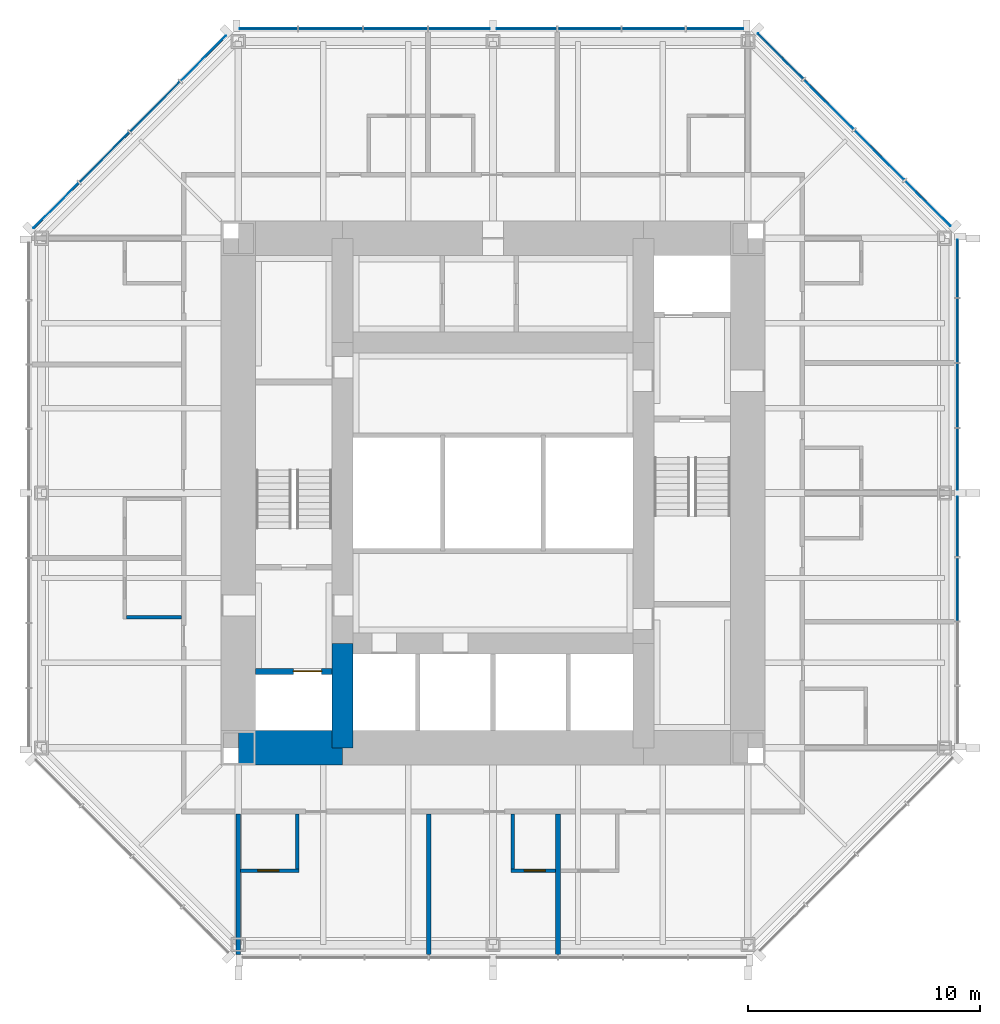
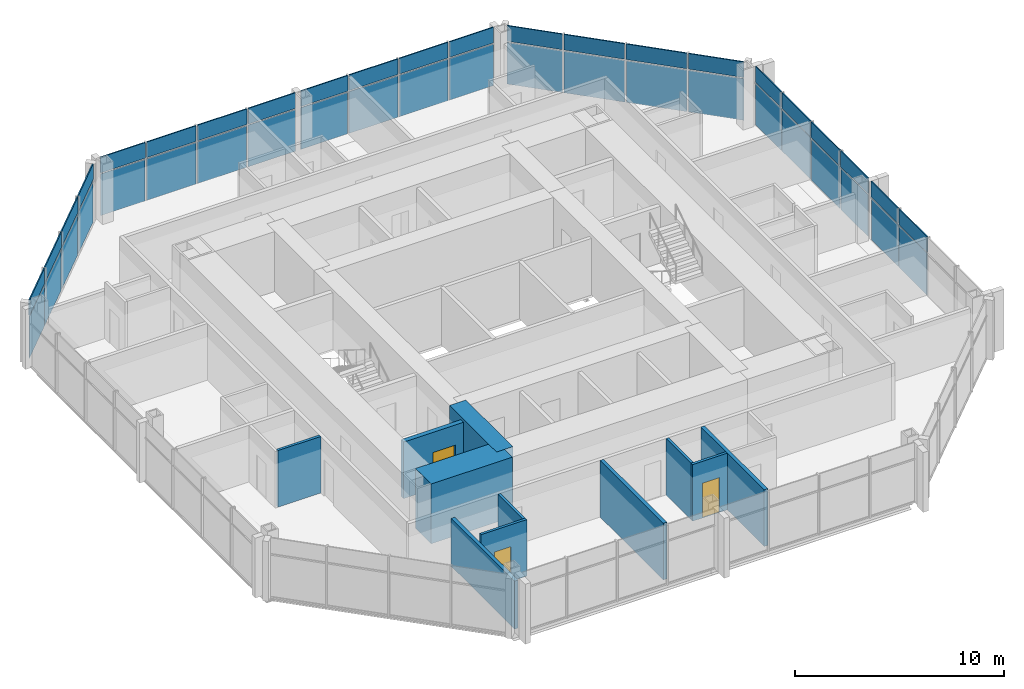
# One storey, part 7 of 11: 44 plates, 11 walls, 3 doors, 3 openings, 4 elements without a shape of their own.
"""IFC4 building model written with IfcOpenShell, lengths in metres."""

import ifcopenshell
import ifcopenshell.guid

model = None  # the IFC model being written
_history = None  # IfcOwnerHistory: only IFC2X3 demands one
_inside = {}  # id of a spatial element -> (the spatial element, [elements in it])
_under = {}  # id of a project, library or spatial element -> (it, [spatial elements below it])
_declared = {}  # id of a project -> (the project, [libraries it declares])
_typed = {}  # id of a type object -> (the type object, [elements of that type])
_made_of = {}  # id of a material, layer set ... -> (it, [elements and type objects made of it])


def new_model(schema):
    """Start an empty IFC model of exactly this schema.

    Asked for "IFC4X3", IfcOpenShell would pick the latest addendum, in which some entities
    have other attributes; the version numbers below select the first issue.
    IFC2X3 requires an IfcOwnerHistory on every rooted entity: one is made here for all.
    """
    global model, _history
    if schema == "IFC4X3":
        model = ifcopenshell.file(schema_version=(4, 3, 0, 0))
    else:
        model = ifcopenshell.file(schema=schema)
    _inside.clear()
    _under.clear()
    _declared.clear()
    _typed.clear()
    _made_of.clear()
    _history = None
    if model.schema == "IFC2X3":
        org = make("IfcOrganization", Name="unknown")
        user = make(
            "IfcPersonAndOrganization",
            ThePerson=make("IfcPerson", FamilyName="unknown"),
            TheOrganization=org,
        )
        app = make(
            "IfcApplication",
            ApplicationDeveloper=org,
            Version="unknown",
            ApplicationFullName="unknown",
            ApplicationIdentifier="unknown",
        )
        _history = make(
            "IfcOwnerHistory",
            OwningUser=user,
            OwningApplication=app,
            ChangeAction="ADDED",
            CreationDate=0,
        )
    return model


def make(cls, **values):
    """One entity of the class cls with the attributes given. An attribute that is None is left unset."""
    return model.create_entity(
        cls, **{name: value for name, value in values.items() if value is not None}
    )


def rooted(cls, **values):
    """An entity with a GlobalId (a new one), such as an element, a storey or a relation."""
    return make(cls, GlobalId=ifcopenshell.guid.new(), OwnerHistory=_history, **values)


def si_unit(unit_type, name, prefix=None):
    """IfcSIUnit, for example si_unit("LENGTHUNIT", "METRE", prefix="MILLI")."""
    return make("IfcSIUnit", UnitType=unit_type, Prefix=prefix, Name=name)


def assignment(units):
    """IfcUnitAssignment: the units of a project."""
    return None if units is None else make("IfcUnitAssignment", Units=units)


def point(xyz):
    """IfcCartesianPoint."""
    return None if xyz is None else make("IfcCartesianPoint", Coordinates=xyz)


def direction(xyz):
    """IfcDirection."""
    return None if xyz is None else make("IfcDirection", DirectionRatios=xyz)


def frame(location, z_axis=None, x_axis=None):
    """IfcAxis2Placement3D, a coordinate frame: its origin and axes. An axis left out is left unset."""
    return make(
        "IfcAxis2Placement3D",
        Location=point(location),
        Axis=direction(z_axis),
        RefDirection=direction(x_axis),
    )


def frame_2d(location, x_axis=None):
    """IfcAxis2Placement2D, a coordinate frame in the plane: its origin and x axis."""
    return make(
        "IfcAxis2Placement2D", Location=point(location), RefDirection=direction(x_axis)
    )


def origin():
    """The frame at (0, 0, 0) with its axes left unset."""
    return frame((0.0, 0.0, 0.0))


def origin_2d():
    """The frame at (0, 0) in the plane with its x axis left unset."""
    return frame_2d((0.0, 0.0))


def place(relative_to, where):
    """IfcLocalPlacement: puts the frame where relative to a parent placement (None: the world)."""
    return make(
        "IfcLocalPlacement", PlacementRelTo=relative_to, RelativePlacement=where
    )


def context(
    kind, dimensions, precision=None, world=None, true_north=None, identifier=None
):
    """IfcGeometricRepresentationContext, for example the 3D "Model" context."""
    return make(
        "IfcGeometricRepresentationContext",
        ContextIdentifier=identifier,
        ContextType=kind,
        CoordinateSpaceDimension=dimensions,
        Precision=precision,
        WorldCoordinateSystem=world,
        TrueNorth=true_north,
    )


def subcontext(parent, identifier, kind, view, scale=None):
    """IfcGeometricRepresentationSubContext, for example "Body" below "Model"."""
    return make(
        "IfcGeometricRepresentationSubContext",
        ContextIdentifier=identifier,
        ContextType=kind,
        ParentContext=parent,
        TargetScale=scale,
        TargetView=view,
    )


def project(units=None, contexts=None):
    """IfcProject with its units and contexts."""
    return rooted(
        "IfcProject",
        Name="project",
        RepresentationContexts=contexts,
        UnitsInContext=assignment(units),
    )


def spatial(cls, under=None, at=None, **own):
    """A site, building, storey or space (cls), placed at a placement, below another one or the project."""
    s = rooted(cls, ObjectPlacement=at, **own)
    if under is not None:
        _under.setdefault(under.id(), (under, []))[1].append(s)
    return s


def profile(cls, at=None, kind="AREA", **sizes):
    """A parametric profile (cls). Its sizes go by their IFC names, for example OverallWidth=200.0."""
    return make(cls, ProfileType=kind, Position=at, **sizes)


def rectangle(**sizes):
    """IfcRectangleProfileDef."""
    return profile("IfcRectangleProfileDef", **sizes)


def extrude(swept, where, along, depth):
    """IfcExtrudedAreaSolid: the profile swept, set in the frame where, extruded along a direction by depth."""
    return make(
        "IfcExtrudedAreaSolid",
        SweptArea=swept,
        Position=where,
        ExtrudedDirection=direction(along),
        Depth=depth,
    )


def shape(context_of_items, identifier, shape_type, items):
    """IfcShapeRepresentation: the items that make up one representation, for example the "Body"."""
    return make(
        "IfcShapeRepresentation",
        ContextOfItems=context_of_items,
        RepresentationIdentifier=identifier,
        RepresentationType=shape_type,
        Items=items,
    )


def material(Name=None, Category=None):
    """IfcMaterial."""
    return make("IfcMaterial", Name=Name, Category=Category)


def layer(
    of_material, thickness, ventilated=None, Name=None, Category=None, Priority=None
):
    """IfcMaterialLayer: one layer of a wall or slab, of a material (None: an air gap)."""
    return make(
        "IfcMaterialLayer",
        Material=of_material,
        LayerThickness=thickness,
        IsVentilated=ventilated,
        Name=Name,
        Category=Category,
        Priority=Priority,
    )


def layer_set(layers, Name=None):
    """IfcMaterialLayerSet."""
    return make("IfcMaterialLayerSet", MaterialLayers=layers, LayerSetName=Name)


def made_of(thing, what):
    """Note that an element or type object is made of a material, layer set ...; save() writes the relation."""
    if what is not None:
        _made_of.setdefault(what.id(), (what, []))[1].append(thing)
    return thing


def type_object(cls, material=None, **own):
    """A type object (cls), such as IfcWallType, which elements share."""
    return made_of(rooted(cls, **own), material)


def element(
    cls,
    number,
    at=None,
    inside=None,
    cuts=None,
    type_object=None,
    material=None,
    context=None,
    identifier="Body",
    shape_type=None,
    held_by="IfcProductDefinitionShape",
    body=None,
    shapes=None,
    **own,
):
    """One element of the class cls, such as IfcWall. Its Tag is "e" and its number.

    at: its placement. inside: the storey or other place that contains it. cuts: it is an
    opening in that element (IfcRelVoidsElement). A single representation is given by context,
    identifier, shape_type and body (its items); several are given by shapes. held_by: the class
    of the entity that holds the representations. save() writes the other relations.
    """
    e = rooted(cls, Tag="e%d" % number, ObjectPlacement=at, **own)
    if body is not None:
        shapes = [shape(context, identifier, shape_type, body)]
    if shapes is not None:
        e.Representation = make(held_by, Representations=shapes)
    if inside is not None:
        _inside.setdefault(inside.id(), (inside, []))[1].append(e)
    if cuts is not None:
        rooted(
            "IfcRelVoidsElement", RelatingBuildingElement=cuts, RelatedOpeningElement=e
        )
    if type_object is not None:
        _typed.setdefault(type_object.id(), (type_object, []))[1].append(e)
    return made_of(e, material)


def fill(opening, filler):
    """IfcRelFillsElement: the door or window that sits in an opening."""
    return rooted(
        "IfcRelFillsElement",
        RelatingOpeningElement=opening,
        RelatedBuildingElement=filler,
    )


def aggregate(whole, parts):
    """IfcRelAggregates: a whole, such as a stair, and the parts it consists of."""
    return rooted("IfcRelAggregates", RelatingObject=whole, RelatedObjects=parts)


def save(model, path):
    """Write the relations noted so far, then the file.

    IfcRelAggregates (storeys below a building ...), IfcRelContainedInSpatialStructure (elements
    in a storey), IfcRelDefinesByType, IfcRelAssociatesMaterial and IfcRelDeclares: one each for
    every whole, place, type object, material and project.
    """
    for whole, parts in _under.values():
        aggregate(whole, parts)
    for where, things in _inside.values():
        rooted(
            "IfcRelContainedInSpatialStructure",
            RelatedElements=things,
            RelatingStructure=where,
        )
    for kind, things in _typed.values():
        rooted("IfcRelDefinesByType", RelatedObjects=things, RelatingType=kind)
    for what, things in _made_of.values():
        rooted("IfcRelAssociatesMaterial", RelatedObjects=things, RelatingMaterial=what)
    for by, libraries in _declared.values():
        rooted("IfcRelDeclares", RelatingContext=by, RelatedDefinitions=libraries)
    model.write(path)


model = new_model("IFC4")

# Units and contexts
model_context = context("Model", 3, precision=1e-05, world=origin(), true_north=direction((0.0, 1.0)))
body_context = subcontext(model_context, "Body", "Model", "MODEL_VIEW")
ifc_project = project(units=[si_unit("LENGTHUNIT", "METRE"), si_unit("AREAUNIT", "SQUARE_METRE"), si_unit("VOLUMEUNIT", "CUBIC_METRE"), si_unit("PLANEANGLEUNIT", "RADIAN"), si_unit("MASSUNIT", "GRAM", prefix="KILO")], contexts=[model_context])

# Site, building, storey
site_placement = place(None, origin())
site = spatial("IfcSite", under=ifc_project, at=site_placement, CompositionType="ELEMENT")
building_placement = place(site_placement, origin())
building = spatial("IfcBuilding", under=site, at=building_placement, Name="Trevanion Tower", CompositionType="ELEMENT")
storey_placement = place(building_placement, frame((0.0, 0.0, 215.199951171875)))
storey = spatial("IfcBuildingStorey", under=building, at=storey_placement, Name="L51", CompositionType="ELEMENT", Elevation=215.199951171875)

# Curtain wall, plates
ifc_material_1 = material(Name="Aluminium and glass", Category="aluminium")
curtain_wall_type = type_object("IfcCurtainWallType", Name="CW3 curtain wall", PredefinedType="USERDEFINED", material=ifc_material_1)
curtain_wall_1_placement = place(storey_placement, origin())
curtain_wall_1 = element("IfcCurtainWall", 1, at=curtain_wall_1_placement, inside=storey, type_object=curtain_wall_type, Name="CW3 L51 0", ObjectType="UNITISED CURTAIN WALL", PredefinedType="USERDEFINED")
ifc_material_2 = material(Name="Aluminium spandrel panel", Category="aluminium")
ifc_layer_1 = layer(ifc_material_2, 0.06005859375)
ifc_layer_set_1 = layer_set([ifc_layer_1], Name="CW3 spandrel panel")
plate_type_1 = type_object("IfcPlateType", Name="CW3 spandrel panel", PredefinedType="CURTAIN_PANEL", material=ifc_layer_set_1)
plate_1_placement = place(storey_placement, frame((20.050048828125, -4.16162109375, 2.3974609375), z_axis=(0.0, 0.0, 1.0), x_axis=(0.0, 1.0, 0.0)))
plate_1 = element("IfcPlate", 2, at=plate_1_placement, type_object=plate_type_1, Name="CW3 panel 3.2", PredefinedType="CURTAIN_PANEL", context=body_context, shape_type="SweptSolid", body=[
    extrude(rectangle(XDim=2.699462890625, YDim=0.06005859375, at=origin_2d()), origin(), (0.0, 0.0, 1.0), 0.91259765625),
])
plate_2_placement = place(storey_placement, frame((20.050048828125, -1.443603515625, 2.3974609375), z_axis=(0.0, 0.0, 1.0), x_axis=(0.0, 1.0, 0.0)))
plate_2 = element("IfcPlate", 3, at=plate_2_placement, type_object=plate_type_1, Name="CW3 panel 4.2", PredefinedType="CURTAIN_PANEL", context=body_context, shape_type="SweptSolid", body=[
    extrude(rectangle(XDim=2.5869140625, YDim=0.06005859375, at=origin_2d()), origin(), (0.0, 0.0, 1.0), 0.91259765625),
])
plate_3_placement = place(storey_placement, frame((20.050048828125, 1.459716796875, 2.3974609375), z_axis=(0.0, 0.0, 1.0), x_axis=(0.0, 1.0, 0.0)))
plate_3 = element("IfcPlate", 4, at=plate_3_placement, type_object=plate_type_1, Name="CW3 panel 5.2", PredefinedType="CURTAIN_PANEL", context=body_context, shape_type="SweptSolid", body=[
    extrude(rectangle(XDim=2.619384765625, YDim=0.06005859375, at=origin_2d()), origin(), (0.0, 0.0, 1.0), 0.91259765625),
])
plate_4_placement = place(storey_placement, frame((20.050048828125, 4.21044921875, 2.3974609375), z_axis=(0.0, 0.0, 1.0), x_axis=(0.0, 1.0, 0.0)))
plate_4 = element("IfcPlate", 5, at=plate_4_placement, type_object=plate_type_1, Name="CW3 panel 6.2", PredefinedType="CURTAIN_PANEL", context=body_context, shape_type="SweptSolid", body=[
    extrude(rectangle(XDim=2.73193359375, YDim=0.06005859375, at=origin_2d()), origin(), (0.0, 0.0, 1.0), 0.91259765625),
])
plate_5_placement = place(storey_placement, frame((20.050048828125, 7.017333984375, 2.3974609375), z_axis=(0.0, 0.0, 1.0), x_axis=(0.0, 1.0, 0.0)))
plate_5 = element("IfcPlate", 6, at=plate_5_placement, type_object=plate_type_1, Name="CW3 panel 7.2", PredefinedType="CURTAIN_PANEL", context=body_context, shape_type="SweptSolid", body=[
    extrude(rectangle(XDim=2.73193359375, YDim=0.06005859375, at=origin_2d()), origin(), (0.0, 0.0, 1.0), 0.91259765625),
])
plate_6_placement = place(storey_placement, frame((20.050048828125, 9.693115234375, 2.3974609375), z_axis=(0.0, 0.0, 1.0), x_axis=(0.0, 1.0, 0.0)))
plate_6 = element("IfcPlate", 7, at=plate_6_placement, type_object=plate_type_1, Name="CW3 panel 8.2", PredefinedType="CURTAIN_PANEL", context=body_context, shape_type="SweptSolid", body=[
    extrude(rectangle(XDim=2.469482421875, YDim=0.06005859375, at=origin_2d()), origin(), (0.0, 0.0, 1.0), 0.91259765625),
])

curtain_wall_2_placement = place(storey_placement, origin())
curtain_wall_2 = element("IfcCurtainWall", 8, at=curtain_wall_2_placement, inside=storey, type_object=curtain_wall_type, Name="CW3 L51 1", ObjectType="UNITISED CURTAIN WALL", PredefinedType="USERDEFINED")
plate_7_placement = place(storey_placement, frame((18.77392578125, 12.50390625, 2.3974609375), z_axis=(0.0, 0.0, 1.0), x_axis=(-0.707106781187, 0.707106781187, 0.0)))
plate_7 = element("IfcPlate", 9, at=plate_7_placement, type_object=plate_type_1, Name="CW3 panel 1.2", PredefinedType="CURTAIN_PANEL", context=body_context, shape_type="SweptSolid", body=[
    extrude(rectangle(XDim=2.7490234375, YDim=0.06005859375, at=origin_2d()), origin(), (0.0, 0.0, 1.0), 0.91259765625),
])
plate_8_placement = place(storey_placement, frame((16.68408203125, 14.593505859375, 2.3974609375), z_axis=(0.0, 0.0, 1.0), x_axis=(-0.707106781187, 0.707106781187, 0.0)))
plate_8 = element("IfcPlate", 10, at=plate_8_placement, type_object=plate_type_1, Name="CW3 panel 2.2", PredefinedType="CURTAIN_PANEL", context=body_context, shape_type="SweptSolid", body=[
    extrude(rectangle(XDim=3.01171875, YDim=0.06005859375, at=origin_2d()), origin(), (0.0, 0.0, 1.0), 0.91259765625),
])
plate_9_placement = place(storey_placement, frame((14.501708984375, 16.776123046875, 2.3974609375), z_axis=(0.0, 0.0, 1.0), x_axis=(-0.707106781187, 0.707106781187, 0.0)))
plate_9 = element("IfcPlate", 11, at=plate_9_placement, type_object=plate_type_1, Name="CW3 panel 3.2", PredefinedType="CURTAIN_PANEL", context=body_context, shape_type="SweptSolid", body=[
    extrude(rectangle(XDim=3.01171875, YDim=0.06005859375, at=origin_2d()), origin(), (0.0, 0.0, 1.0), 0.91259765625),
])
plate_10_placement = place(storey_placement, frame((12.411865234375, 18.865966796875, 2.3974609375), z_axis=(0.0, 0.0, 1.0), x_axis=(-0.707106781187, 0.707106781187, 0.0)))
plate_10 = element("IfcPlate", 12, at=plate_10_placement, type_object=plate_type_1, Name="CW3 panel 4.2", PredefinedType="CURTAIN_PANEL", context=body_context, shape_type="SweptSolid", body=[
    extrude(rectangle(XDim=2.7490234375, YDim=0.06005859375, at=origin_2d()), origin(), (0.0, 0.0, 1.0), 0.91259765625),
])

curtain_wall_3_placement = place(storey_placement, origin())
curtain_wall_3 = element("IfcCurtainWall", 13, at=curtain_wall_3_placement, inside=storey, type_object=curtain_wall_type, Name="CW3 L51 2", ObjectType="UNITISED CURTAIN WALL", PredefinedType="USERDEFINED")
plate_11_placement = place(storey_placement, frame((9.579345703125, 20.050048828125, 2.3974609375), z_axis=(0.0, 0.0, 1.0), x_axis=(-1.0, 0.0, 0.0)))
plate_11 = element("IfcPlate", 14, at=plate_11_placement, type_object=plate_type_1, Name="CW3 panel 1.2", PredefinedType="CURTAIN_PANEL", context=body_context, shape_type="SweptSolid", body=[
    extrude(rectangle(XDim=2.43701171875, YDim=0.06005859375, at=origin_2d()), origin(), (0.0, 0.0, 1.0), 0.91259765625),
])
plate_12_placement = place(storey_placement, frame((6.93603515625, 20.050048828125, 2.3974609375), z_axis=(0.0, 0.0, 1.0), x_axis=(-1.0, 0.0, 0.0)))
plate_12 = element("IfcPlate", 15, at=plate_12_placement, type_object=plate_type_1, Name="CW3 panel 2.2", PredefinedType="CURTAIN_PANEL", context=body_context, shape_type="SweptSolid", body=[
    extrude(rectangle(XDim=2.699462890625, YDim=0.06005859375, at=origin_2d()), origin(), (0.0, 0.0, 1.0), 0.91259765625),
])
plate_13_placement = place(storey_placement, frame((4.16162109375, 20.050048828125, 2.3974609375), z_axis=(0.0, 0.0, 1.0), x_axis=(-1.0, 0.0, 0.0)))
plate_13 = element("IfcPlate", 16, at=plate_13_placement, type_object=plate_type_1, Name="CW3 panel 3.2", PredefinedType="CURTAIN_PANEL", context=body_context, shape_type="SweptSolid", body=[
    extrude(rectangle(XDim=2.699462890625, YDim=0.06005859375, at=origin_2d()), origin(), (0.0, 0.0, 1.0), 0.91259765625),
])
plate_14_placement = place(storey_placement, frame((1.443603515625, 20.050048828125, 2.3974609375), z_axis=(0.0, 0.0, 1.0), x_axis=(-1.0, 0.0, 0.0)))
plate_14 = element("IfcPlate", 17, at=plate_14_placement, type_object=plate_type_1, Name="CW3 panel 4.2", PredefinedType="CURTAIN_PANEL", context=body_context, shape_type="SweptSolid", body=[
    extrude(rectangle(XDim=2.5869140625, YDim=0.06005859375, at=origin_2d()), origin(), (0.0, 0.0, 1.0), 0.91259765625),
])
plate_15_placement = place(storey_placement, frame((-1.459716796875, 20.050048828125, 2.3974609375), z_axis=(0.0, 0.0, 1.0), x_axis=(-1.0, 0.0, 0.0)))
plate_15 = element("IfcPlate", 18, at=plate_15_placement, type_object=plate_type_1, Name="CW3 panel 5.2", PredefinedType="CURTAIN_PANEL", context=body_context, shape_type="SweptSolid", body=[
    extrude(rectangle(XDim=2.619384765625, YDim=0.06005859375, at=origin_2d()), origin(), (0.0, 0.0, 1.0), 0.91259765625),
])
plate_16_placement = place(storey_placement, frame((-4.21044921875, 20.050048828125, 2.3974609375), z_axis=(0.0, 0.0, 1.0), x_axis=(-1.0, 0.0, 0.0)))
plate_16 = element("IfcPlate", 19, at=plate_16_placement, type_object=plate_type_1, Name="CW3 panel 6.2", PredefinedType="CURTAIN_PANEL", context=body_context, shape_type="SweptSolid", body=[
    extrude(rectangle(XDim=2.73193359375, YDim=0.06005859375, at=origin_2d()), origin(), (0.0, 0.0, 1.0), 0.91259765625),
])
plate_17_placement = place(storey_placement, frame((-7.017333984375, 20.050048828125, 2.3974609375), z_axis=(0.0, 0.0, 1.0), x_axis=(-1.0, 0.0, 0.0)))
plate_17 = element("IfcPlate", 20, at=plate_17_placement, type_object=plate_type_1, Name="CW3 panel 7.2", PredefinedType="CURTAIN_PANEL", context=body_context, shape_type="SweptSolid", body=[
    extrude(rectangle(XDim=2.73193359375, YDim=0.06005859375, at=origin_2d()), origin(), (0.0, 0.0, 1.0), 0.91259765625),
])
plate_18_placement = place(storey_placement, frame((-9.693115234375, 20.050048828125, 2.3974609375), z_axis=(0.0, 0.0, 1.0), x_axis=(-1.0, 0.0, 0.0)))
plate_18 = element("IfcPlate", 21, at=plate_18_placement, type_object=plate_type_1, Name="CW3 panel 8.2", PredefinedType="CURTAIN_PANEL", context=body_context, shape_type="SweptSolid", body=[
    extrude(rectangle(XDim=2.469482421875, YDim=0.06005859375, at=origin_2d()), origin(), (0.0, 0.0, 1.0), 0.91259765625),
])

curtain_wall_4_placement = place(storey_placement, origin())
curtain_wall_4 = element("IfcCurtainWall", 22, at=curtain_wall_4_placement, inside=storey, type_object=curtain_wall_type, Name="CW3 L51 3", ObjectType="UNITISED CURTAIN WALL", PredefinedType="USERDEFINED")
plate_19_placement = place(storey_placement, frame((-12.50390625, 18.77392578125, 2.3974609375), z_axis=(0.0, 0.0, 1.0), x_axis=(-0.707106781187, -0.707106781187, 0.0)))
plate_19 = element("IfcPlate", 23, at=plate_19_placement, type_object=plate_type_1, Name="CW3 panel 1.2", PredefinedType="CURTAIN_PANEL", context=body_context, shape_type="SweptSolid", body=[
    extrude(rectangle(XDim=2.7490234375, YDim=0.06005859375, at=origin_2d()), origin(), (0.0, 0.0, 1.0), 0.91259765625),
])
plate_20_placement = place(storey_placement, frame((-14.593505859375, 16.68408203125, 2.3974609375), z_axis=(0.0, 0.0, 1.0), x_axis=(-0.707106781187, -0.707106781187, 0.0)))
plate_20 = element("IfcPlate", 24, at=plate_20_placement, type_object=plate_type_1, Name="CW3 panel 2.2", PredefinedType="CURTAIN_PANEL", context=body_context, shape_type="SweptSolid", body=[
    extrude(rectangle(XDim=3.01171875, YDim=0.06005859375, at=origin_2d()), origin(), (0.0, 0.0, 1.0), 0.91259765625),
])
plate_21_placement = place(storey_placement, frame((-16.776123046875, 14.501708984375, 2.3974609375), z_axis=(0.0, 0.0, 1.0), x_axis=(-0.707106781187, -0.707106781187, 0.0)))
plate_21 = element("IfcPlate", 25, at=plate_21_placement, type_object=plate_type_1, Name="CW3 panel 3.2", PredefinedType="CURTAIN_PANEL", context=body_context, shape_type="SweptSolid", body=[
    extrude(rectangle(XDim=3.01171875, YDim=0.06005859375, at=origin_2d()), origin(), (0.0, 0.0, 1.0), 0.91259765625),
])
plate_22_placement = place(storey_placement, frame((-18.865966796875, 12.411865234375, 2.3974609375), z_axis=(0.0, 0.0, 1.0), x_axis=(-0.707106781187, -0.707106781187, 0.0)))
plate_22 = element("IfcPlate", 26, at=plate_22_placement, type_object=plate_type_1, Name="CW3 panel 4.2", PredefinedType="CURTAIN_PANEL", context=body_context, shape_type="SweptSolid", body=[
    extrude(rectangle(XDim=2.7490234375, YDim=0.06005859375, at=origin_2d()), origin(), (0.0, 0.0, 1.0), 0.91259765625),
])

# Plate
ifc_material_3 = material(Name="Insulating glass unit", Category="glass")
ifc_layer_2 = layer(ifc_material_3, 0.028076171875)
ifc_layer_set_2 = layer_set([ifc_layer_2], Name="CW3 vision panel")
plate_type_2 = type_object("IfcPlateType", Name="CW3 vision panel", PredefinedType="CURTAIN_PANEL", material=ifc_layer_set_2)
plate_23_placement = place(storey_placement, frame((20.050048828125, -4.16162109375, -0.114990234375), z_axis=(0.0, 0.0, 1.0), x_axis=(0.0, 1.0, 0.0)))
plate_23 = element("IfcPlate", 27, at=plate_23_placement, type_object=plate_type_2, Name="CW3 panel 3.1", PredefinedType="CURTAIN_PANEL", context=body_context, shape_type="SweptSolid", body=[
    extrude(rectangle(XDim=2.699462890625, YDim=0.028076171875, at=origin_2d()), origin(), (0.0, 0.0, 1.0), 2.4375),
])

plate_24_placement = place(storey_placement, frame((20.050048828125, -1.443603515625, -0.114990234375), z_axis=(0.0, 0.0, 1.0), x_axis=(0.0, 1.0, 0.0)))
plate_24 = element("IfcPlate", 28, at=plate_24_placement, type_object=plate_type_2, Name="CW3 panel 4.1", PredefinedType="CURTAIN_PANEL", context=body_context, shape_type="SweptSolid", body=[
    extrude(rectangle(XDim=2.5869140625, YDim=0.028076171875, at=origin_2d()), origin(), (0.0, 0.0, 1.0), 2.4375),
])

plate_25_placement = place(storey_placement, frame((20.050048828125, 1.459716796875, -0.114990234375), z_axis=(0.0, 0.0, 1.0), x_axis=(0.0, 1.0, 0.0)))
plate_25 = element("IfcPlate", 29, at=plate_25_placement, type_object=plate_type_2, Name="CW3 panel 5.1", PredefinedType="CURTAIN_PANEL", context=body_context, shape_type="SweptSolid", body=[
    extrude(rectangle(XDim=2.619384765625, YDim=0.028076171875, at=origin_2d()), origin(), (0.0, 0.0, 1.0), 2.4375),
])

plate_26_placement = place(storey_placement, frame((20.050048828125, 4.21044921875, -0.114990234375), z_axis=(0.0, 0.0, 1.0), x_axis=(0.0, 1.0, 0.0)))
plate_26 = element("IfcPlate", 30, at=plate_26_placement, type_object=plate_type_2, Name="CW3 panel 6.1", PredefinedType="CURTAIN_PANEL", context=body_context, shape_type="SweptSolid", body=[
    extrude(rectangle(XDim=2.73193359375, YDim=0.028076171875, at=origin_2d()), origin(), (0.0, 0.0, 1.0), 2.4375),
])

plate_27_placement = place(storey_placement, frame((20.050048828125, 7.017333984375, -0.114990234375), z_axis=(0.0, 0.0, 1.0), x_axis=(0.0, 1.0, 0.0)))
plate_27 = element("IfcPlate", 31, at=plate_27_placement, type_object=plate_type_2, Name="CW3 panel 7.1", PredefinedType="CURTAIN_PANEL", context=body_context, shape_type="SweptSolid", body=[
    extrude(rectangle(XDim=2.73193359375, YDim=0.028076171875, at=origin_2d()), origin(), (0.0, 0.0, 1.0), 2.4375),
])

plate_28_placement = place(storey_placement, frame((20.050048828125, 9.693115234375, -0.114990234375), z_axis=(0.0, 0.0, 1.0), x_axis=(0.0, 1.0, 0.0)))
plate_28 = element("IfcPlate", 32, at=plate_28_placement, type_object=plate_type_2, Name="CW3 panel 8.1", PredefinedType="CURTAIN_PANEL", context=body_context, shape_type="SweptSolid", body=[
    extrude(rectangle(XDim=2.469482421875, YDim=0.028076171875, at=origin_2d()), origin(), (0.0, 0.0, 1.0), 2.4375),
])

aggregate(curtain_wall_1, [plate_23, plate_1, plate_24, plate_2, plate_25, plate_3, plate_26, plate_4, plate_27, plate_5, plate_28, plate_6])

plate_29_placement = place(storey_placement, frame((18.77392578125, 12.50390625, -0.114990234375), z_axis=(0.0, 0.0, 1.0), x_axis=(-0.707106781187, 0.707106781187, 0.0)))
plate_29 = element("IfcPlate", 33, at=plate_29_placement, type_object=plate_type_2, Name="CW3 panel 1.1", PredefinedType="CURTAIN_PANEL", context=body_context, shape_type="SweptSolid", body=[
    extrude(rectangle(XDim=2.7490234375, YDim=0.028076171875, at=origin_2d()), origin(), (0.0, 0.0, 1.0), 2.4375),
])

plate_30_placement = place(storey_placement, frame((16.68408203125, 14.593505859375, -0.114990234375), z_axis=(0.0, 0.0, 1.0), x_axis=(-0.707106781187, 0.707106781187, 0.0)))
plate_30 = element("IfcPlate", 34, at=plate_30_placement, type_object=plate_type_2, Name="CW3 panel 2.1", PredefinedType="CURTAIN_PANEL", context=body_context, shape_type="SweptSolid", body=[
    extrude(rectangle(XDim=3.01171875, YDim=0.028076171875, at=origin_2d()), origin(), (0.0, 0.0, 1.0), 2.4375),
])

plate_31_placement = place(storey_placement, frame((14.501708984375, 16.776123046875, -0.114990234375), z_axis=(0.0, 0.0, 1.0), x_axis=(-0.707106781187, 0.707106781187, 0.0)))
plate_31 = element("IfcPlate", 35, at=plate_31_placement, type_object=plate_type_2, Name="CW3 panel 3.1", PredefinedType="CURTAIN_PANEL", context=body_context, shape_type="SweptSolid", body=[
    extrude(rectangle(XDim=3.01171875, YDim=0.028076171875, at=origin_2d()), origin(), (0.0, 0.0, 1.0), 2.4375),
])

plate_32_placement = place(storey_placement, frame((12.411865234375, 18.865966796875, -0.114990234375), z_axis=(0.0, 0.0, 1.0), x_axis=(-0.707106781187, 0.707106781187, 0.0)))
plate_32 = element("IfcPlate", 36, at=plate_32_placement, type_object=plate_type_2, Name="CW3 panel 4.1", PredefinedType="CURTAIN_PANEL", context=body_context, shape_type="SweptSolid", body=[
    extrude(rectangle(XDim=2.7490234375, YDim=0.028076171875, at=origin_2d()), origin(), (0.0, 0.0, 1.0), 2.4375),
])

aggregate(curtain_wall_2, [plate_29, plate_7, plate_30, plate_8, plate_31, plate_9, plate_32, plate_10])

plate_33_placement = place(storey_placement, frame((9.579345703125, 20.050048828125, -0.114990234375), z_axis=(0.0, 0.0, 1.0), x_axis=(-1.0, 0.0, 0.0)))
plate_33 = element("IfcPlate", 37, at=plate_33_placement, type_object=plate_type_2, Name="CW3 panel 1.1", PredefinedType="CURTAIN_PANEL", context=body_context, shape_type="SweptSolid", body=[
    extrude(rectangle(XDim=2.43701171875, YDim=0.028076171875, at=origin_2d()), origin(), (0.0, 0.0, 1.0), 2.4375),
])

plate_34_placement = place(storey_placement, frame((6.93603515625, 20.050048828125, -0.114990234375), z_axis=(0.0, 0.0, 1.0), x_axis=(-1.0, 0.0, 0.0)))
plate_34 = element("IfcPlate", 38, at=plate_34_placement, type_object=plate_type_2, Name="CW3 panel 2.1", PredefinedType="CURTAIN_PANEL", context=body_context, shape_type="SweptSolid", body=[
    extrude(rectangle(XDim=2.699462890625, YDim=0.028076171875, at=origin_2d()), origin(), (0.0, 0.0, 1.0), 2.4375),
])

plate_35_placement = place(storey_placement, frame((4.16162109375, 20.050048828125, -0.114990234375), z_axis=(0.0, 0.0, 1.0), x_axis=(-1.0, 0.0, 0.0)))
plate_35 = element("IfcPlate", 39, at=plate_35_placement, type_object=plate_type_2, Name="CW3 panel 3.1", PredefinedType="CURTAIN_PANEL", context=body_context, shape_type="SweptSolid", body=[
    extrude(rectangle(XDim=2.699462890625, YDim=0.028076171875, at=origin_2d()), origin(), (0.0, 0.0, 1.0), 2.4375),
])

plate_36_placement = place(storey_placement, frame((1.443603515625, 20.050048828125, -0.114990234375), z_axis=(0.0, 0.0, 1.0), x_axis=(-1.0, 0.0, 0.0)))
plate_36 = element("IfcPlate", 40, at=plate_36_placement, type_object=plate_type_2, Name="CW3 panel 4.1", PredefinedType="CURTAIN_PANEL", context=body_context, shape_type="SweptSolid", body=[
    extrude(rectangle(XDim=2.5869140625, YDim=0.028076171875, at=origin_2d()), origin(), (0.0, 0.0, 1.0), 2.4375),
])

plate_37_placement = place(storey_placement, frame((-1.459716796875, 20.050048828125, -0.114990234375), z_axis=(0.0, 0.0, 1.0), x_axis=(-1.0, 0.0, 0.0)))
plate_37 = element("IfcPlate", 41, at=plate_37_placement, type_object=plate_type_2, Name="CW3 panel 5.1", PredefinedType="CURTAIN_PANEL", context=body_context, shape_type="SweptSolid", body=[
    extrude(rectangle(XDim=2.619384765625, YDim=0.028076171875, at=origin_2d()), origin(), (0.0, 0.0, 1.0), 2.4375),
])

plate_38_placement = place(storey_placement, frame((-4.21044921875, 20.050048828125, -0.114990234375), z_axis=(0.0, 0.0, 1.0), x_axis=(-1.0, 0.0, 0.0)))
plate_38 = element("IfcPlate", 42, at=plate_38_placement, type_object=plate_type_2, Name="CW3 panel 6.1", PredefinedType="CURTAIN_PANEL", context=body_context, shape_type="SweptSolid", body=[
    extrude(rectangle(XDim=2.73193359375, YDim=0.028076171875, at=origin_2d()), origin(), (0.0, 0.0, 1.0), 2.4375),
])

plate_39_placement = place(storey_placement, frame((-7.017333984375, 20.050048828125, -0.114990234375), z_axis=(0.0, 0.0, 1.0), x_axis=(-1.0, 0.0, 0.0)))
plate_39 = element("IfcPlate", 43, at=plate_39_placement, type_object=plate_type_2, Name="CW3 panel 7.1", PredefinedType="CURTAIN_PANEL", context=body_context, shape_type="SweptSolid", body=[
    extrude(rectangle(XDim=2.73193359375, YDim=0.028076171875, at=origin_2d()), origin(), (0.0, 0.0, 1.0), 2.4375),
])

plate_40_placement = place(storey_placement, frame((-9.693115234375, 20.050048828125, -0.114990234375), z_axis=(0.0, 0.0, 1.0), x_axis=(-1.0, 0.0, 0.0)))
plate_40 = element("IfcPlate", 44, at=plate_40_placement, type_object=plate_type_2, Name="CW3 panel 8.1", PredefinedType="CURTAIN_PANEL", context=body_context, shape_type="SweptSolid", body=[
    extrude(rectangle(XDim=2.469482421875, YDim=0.028076171875, at=origin_2d()), origin(), (0.0, 0.0, 1.0), 2.4375),
])

aggregate(curtain_wall_3, [plate_33, plate_11, plate_34, plate_12, plate_35, plate_13, plate_36, plate_14, plate_37, plate_15, plate_38, plate_16, plate_39, plate_17, plate_40, plate_18])

plate_41_placement = place(storey_placement, frame((-12.50390625, 18.77392578125, -0.114990234375), z_axis=(0.0, 0.0, 1.0), x_axis=(-0.707106781187, -0.707106781187, 0.0)))
plate_41 = element("IfcPlate", 45, at=plate_41_placement, type_object=plate_type_2, Name="CW3 panel 1.1", PredefinedType="CURTAIN_PANEL", context=body_context, shape_type="SweptSolid", body=[
    extrude(rectangle(XDim=2.7490234375, YDim=0.028076171875, at=origin_2d()), origin(), (0.0, 0.0, 1.0), 2.4375),
])

plate_42_placement = place(storey_placement, frame((-14.593505859375, 16.68408203125, -0.114990234375), z_axis=(0.0, 0.0, 1.0), x_axis=(-0.707106781187, -0.707106781187, 0.0)))
plate_42 = element("IfcPlate", 46, at=plate_42_placement, type_object=plate_type_2, Name="CW3 panel 2.1", PredefinedType="CURTAIN_PANEL", context=body_context, shape_type="SweptSolid", body=[
    extrude(rectangle(XDim=3.01171875, YDim=0.028076171875, at=origin_2d()), origin(), (0.0, 0.0, 1.0), 2.4375),
])

plate_43_placement = place(storey_placement, frame((-16.776123046875, 14.501708984375, -0.114990234375), z_axis=(0.0, 0.0, 1.0), x_axis=(-0.707106781187, -0.707106781187, 0.0)))
plate_43 = element("IfcPlate", 47, at=plate_43_placement, type_object=plate_type_2, Name="CW3 panel 3.1", PredefinedType="CURTAIN_PANEL", context=body_context, shape_type="SweptSolid", body=[
    extrude(rectangle(XDim=3.01171875, YDim=0.028076171875, at=origin_2d()), origin(), (0.0, 0.0, 1.0), 2.4375),
])

plate_44_placement = place(storey_placement, frame((-18.865966796875, 12.411865234375, -0.114990234375), z_axis=(0.0, 0.0, 1.0), x_axis=(-0.707106781187, -0.707106781187, 0.0)))
plate_44 = element("IfcPlate", 48, at=plate_44_placement, type_object=plate_type_2, Name="CW3 panel 4.1", PredefinedType="CURTAIN_PANEL", context=body_context, shape_type="SweptSolid", body=[
    extrude(rectangle(XDim=2.7490234375, YDim=0.028076171875, at=origin_2d()), origin(), (0.0, 0.0, 1.0), 2.4375),
])

aggregate(curtain_wall_4, [plate_41, plate_19, plate_42, plate_20, plate_43, plate_21, plate_44, plate_22])

# Walls
ifc_material_4 = material(Name="Concrete 10,000 psi", Category="concrete")
ifc_layer_3 = layer(ifc_material_4, 1.5)
ifc_layer_set_3 = layer_set([ifc_layer_3], Name="CW1 core wall 1500")
wall_type_1 = type_object("IfcWallType", Name="CW1 core wall 1500", PredefinedType="SHEAR", material=ifc_layer_set_3)
wall_1_placement = place(storey_placement, frame((-11.0, -11.0, 0.0), z_axis=(0.0, 0.0, 1.0), x_axis=(1.0, 0.0, 0.0)))
element("IfcWall", 49, at=wall_1_placement, inside=storey, type_object=wall_type_1, Name="CW1 CS1 L51", PredefinedType="SHEAR", context=body_context, shape_type="SweptSolid", body=[
    extrude(rectangle(XDim=4.5, YDim=1.5, at=frame_2d((2.25, 0.0))), origin(), (0.0, 0.0, 1.0), 3.5),
])
ifc_material_5 = material(Name="Concrete 10,000 psi", Category="concrete")
ifc_layer_4 = layer(ifc_material_5, 0.89990234375)
ifc_layer_set_4 = layer_set([ifc_layer_4], Name="CW2 core wall 900")
wall_type_2 = type_object("IfcWallType", Name="CW2 core wall 900", PredefinedType="SHEAR", material=ifc_layer_set_4)
wall_2_placement = place(storey_placement, frame((-6.5, -6.5, 0.0), z_axis=(0.0, 0.0, 1.0), x_axis=(0.0, -1.0, 0.0)))
element("IfcWall", 50, at=wall_2_placement, inside=storey, type_object=wall_type_2, Name="CW2 RW3 L51", PredefinedType="SHEAR", context=body_context, shape_type="SweptSolid", body=[
    extrude(rectangle(XDim=4.5, YDim=0.89990234375, at=frame_2d((2.25, 0.0))), origin(), (0.0, 0.0, 1.0), 3.5),
])
ifc_material_6 = material(Name="Gypsum board on steel studs", Category="steel")
ifc_layer_5 = layer(ifc_material_6, 0.14990234375)
ifc_layer_set_5 = layer_set([ifc_layer_5], Name="PT1 partition 150")
wall_type_3 = type_object("IfcWallType", Name="PT1 partition 150", PredefinedType="PARTITIONING", material=ifc_layer_set_5)
wall_3_placement = place(storey_placement, frame((-13.449951171875, -5.35693359375, 0.0), z_axis=(0.0, 0.0, 1.0), x_axis=(-1.0, 0.0, 0.0)))
element("IfcWall", 51, at=wall_3_placement, inside=storey, type_object=wall_type_3, Name="PT1 L51 BB22", PredefinedType="PARTITIONING", context=body_context, shape_type="SweptSolid", body=[
    extrude(rectangle(XDim=2.375, YDim=0.14990234375, at=frame_2d((1.1875, 0.0))), origin(), (0.0, 0.0, 1.0), 3.31005859375),
])

# Wall, opening, door
wall_4_placement = place(storey_placement, frame((-10.89990234375, -16.300048828125, 0.0), z_axis=(0.0, 0.0, 1.0), x_axis=(1.0, 0.0, 0.0)))
wall_4 = element("IfcWall", 52, at=wall_4_placement, inside=storey, type_object=wall_type_3, Name="PT1 L51 BA30", PredefinedType="PARTITIONING", context=body_context, shape_type="SweptSolid", body=[
    extrude(rectangle(XDim=2.52490234375, YDim=0.14990234375, at=frame_2d((1.262451171875, 0.0))), origin(), (0.0, 0.0, 1.0), 3.31005859375),
])
opening_1_placement = place(wall_4_placement, frame((0.742431640625, 0.0, 0.0)))
opening_1 = element("IfcOpeningElement", 53, at=opening_1_placement, cuts=wall_4, Name="Opening 51-036", PredefinedType="OPENING", context=body_context, shape_type="SweptSolid", body=[
    extrude(rectangle(XDim=0.9150390625, YDim=2.031982421875, at=frame_2d((0.45751953125, 1.01611328125))), frame((0.0, 0.0849609375, 0.0), z_axis=(0.0, -1.0, 0.0), x_axis=(1.0, 0.0, 0.0)), (0.0, 0.0, 1.0), 0.169921875),
])
ifc_material_7 = material(Name="Timber veneer", Category="wood")
door_type_1 = type_object("IfcDoorType", Name="D7 bathroom door", OperationType="SINGLE_SWING_LEFT", PredefinedType="DOOR", material=ifc_material_7)
door_1_placement = place(opening_1_placement, origin())
door_1 = element("IfcDoor", 54, at=door_1_placement, inside=storey, type_object=door_type_1, Name="Door 51-036", OperationType="SINGLE_SWING_LEFT", OverallHeight=2.031982421875, OverallWidth=0.9150390625, PredefinedType="DOOR", context=body_context, shape_type="SweptSolid", body=[
    extrude(rectangle(XDim=0.9150390625, YDim=2.031982421875, at=frame_2d((0.45751953125, 1.01611328125))), frame((0.0, 0.02490234375, 0.0), z_axis=(0.0, -1.0, 0.0), x_axis=(1.0, 0.0, 0.0)), (0.0, 0.0, 1.0), 0.050048828125),
])
fill(opening_1, door_1)

# Wall
wall_5_placement = place(storey_placement, frame((-8.449951171875, -13.85009765625, 0.0), z_axis=(0.0, 0.0, 1.0), x_axis=(0.0, -1.0, 0.0)))
element("IfcWall", 55, at=wall_5_placement, inside=storey, type_object=wall_type_3, Name="PT1 L51 BB30", PredefinedType="PARTITIONING", context=body_context, shape_type="SweptSolid", body=[
    extrude(rectangle(XDim=2.375, YDim=0.14990234375, at=frame_2d((1.1875, 0.0))), origin(), (0.0, 0.0, 1.0), 3.31005859375),
])

# Wall, opening, door
wall_6_placement = place(storey_placement, frame((0.781982421875, -16.300048828125, 0.0), z_axis=(0.0, 0.0, 1.0), x_axis=(1.0, 0.0, 0.0)))
wall_6 = element("IfcWall", 56, at=wall_6_placement, inside=storey, type_object=wall_type_3, Name="PT1 L51 BA31", PredefinedType="PARTITIONING", context=body_context, shape_type="SweptSolid", body=[
    extrude(rectangle(XDim=1.925048828125, YDim=0.14990234375, at=frame_2d((0.96240234375, 0.0))), origin(), (0.0, 0.0, 1.0), 3.31005859375),
])
opening_2_placement = place(wall_6_placement, frame((0.5673828125, 0.0, 0.0)))
opening_2 = element("IfcOpeningElement", 57, at=opening_2_placement, cuts=wall_6, Name="Opening 51-038", PredefinedType="OPENING", context=body_context, shape_type="SweptSolid", body=[
    extrude(rectangle(XDim=0.9150390625, YDim=2.031982421875, at=frame_2d((0.45751953125, 1.01611328125))), frame((0.0, 0.0849609375, 0.0), z_axis=(0.0, -1.0, 0.0), x_axis=(1.0, 0.0, 0.0)), (0.0, 0.0, 1.0), 0.169921875),
])
door_2_placement = place(opening_2_placement, origin())
door_2 = element("IfcDoor", 58, at=door_2_placement, inside=storey, type_object=door_type_1, Name="Door 51-038", OperationType="SINGLE_SWING_LEFT", OverallHeight=2.031982421875, OverallWidth=0.9150390625, PredefinedType="DOOR", context=body_context, shape_type="SweptSolid", body=[
    extrude(rectangle(XDim=0.9150390625, YDim=2.031982421875, at=frame_2d((0.45751953125, 1.01611328125))), frame((0.0, 0.02490234375, 0.0), z_axis=(0.0, -1.0, 0.0), x_axis=(1.0, 0.0, 0.0)), (0.0, 0.0, 1.0), 0.050048828125),
])
fill(opening_2, door_2)

# Walls
wall_7_placement = place(storey_placement, frame((0.85693359375, -13.85009765625, 0.0), z_axis=(0.0, 0.0, 1.0), x_axis=(0.0, -1.0, 0.0)))
element("IfcWall", 59, at=wall_7_placement, inside=storey, type_object=wall_type_3, Name="PT1 L51 BB31", PredefinedType="PARTITIONING", context=body_context, shape_type="SweptSolid", body=[
    extrude(rectangle(XDim=2.375, YDim=0.14990234375, at=frame_2d((1.1875, 0.0))), origin(), (0.0, 0.0, 1.0), 3.31005859375),
])
ifc_material_8 = material(Name="Concrete masonry, grouted", Category="masonry")
ifc_layer_6 = layer(ifc_material_8, 0.199951171875)
ifc_layer_set_6 = layer_set([ifc_layer_6], Name="PT2 partition 200 1 HR")
wall_type_4 = type_object("IfcWallType", Name="PT2 partition 200 1 HR", PredefinedType="PARTITIONING", material=ifc_layer_set_6)
wall_8_placement = place(storey_placement, frame((-11.0, -13.85009765625, 0.0), z_axis=(0.0, 0.0, 1.0), x_axis=(0.0, -1.0, 0.0)))
element("IfcWall", 60, at=wall_8_placement, inside=storey, type_object=wall_type_4, Name="PT2 L51 HD30", PredefinedType="PARTITIONING", context=body_context, shape_type="SweptSolid", body=[
    extrude(rectangle(XDim=6.06494140625, YDim=0.199951171875, at=frame_2d((3.032470703125, 0.0))), origin(), (0.0, 0.0, 1.0), 2.802001953125),
])
for number, where, z_axis, x_axis, name in (
    (61, (-2.77490234375, -13.85009765625, 0.0), (0.0, 0.0, 1.0), (0.0, -1.0, 0.0), "PT2 L51 HD31"),
    (62, (2.806884765625, -13.85009765625, 0.0), (0.0, 0.0, 1.0), (0.0, -1.0, 0.0), "PT2 L51 HD32"),
):
    element("IfcWall", number, at=place(storey_placement, frame(where, z_axis=z_axis, x_axis=x_axis)), inside=storey, type_object=wall_type_4, Name=name, PredefinedType="PARTITIONING", context=body_context, shape_type="SweptSolid", body=[
        extrude(rectangle(XDim=6.06494140625, YDim=0.199951171875, at=frame_2d((3.032470703125, 0.0))), origin(), (0.0, 0.0, 1.0), 3.31005859375),
    ])

# Wall, opening, door
ifc_material_9 = material(Name="Concrete masonry, grouted, two-hour", Category="masonry")
ifc_layer_7 = layer(ifc_material_9, 0.25)
ifc_layer_set_7 = layer_set([ifc_layer_7], Name="PT3 partition 250 2 HR")
wall_type_5 = type_object("IfcWallType", Name="PT3 partition 250 2 HR", PredefinedType="PARTITIONING", material=ifc_layer_set_7)
wall_9_placement = place(storey_placement, frame((-6.949951171875, -7.699951171875, 0.0), z_axis=(0.0, 0.0, 1.0), x_axis=(-1.0, 0.0, 0.0)))
wall_9 = element("IfcWall", 63, at=wall_9_placement, inside=storey, type_object=wall_type_5, Name="PT3 L51 WP3", PredefinedType="PARTITIONING", context=body_context, shape_type="SweptSolid", body=[
    extrude(rectangle(XDim=3.300048828125, YDim=0.25, at=frame_2d((1.64990234375, 0.0))), origin(), (0.0, 0.0, 1.0), 3.31005859375),
])
opening_3_placement = place(wall_9_placement, frame((0.449951171875, 0.0, 0.0)))
opening_3 = element("IfcOpeningElement", 64, at=opening_3_placement, cuts=wall_9, Name="Opening 51-008", PredefinedType="OPENING", context=body_context, shape_type="SweptSolid", body=[
    extrude(rectangle(XDim=1.218994140625, YDim=2.134033203125, at=frame_2d((0.609375, 1.06689453125))), frame((0.0, 0.135009765625, 0.0), z_axis=(0.0, -1.0, 0.0), x_axis=(1.0, 0.0, 0.0)), (0.0, 0.0, 1.0), 0.27001953125),
])
ifc_material_10 = material(Name="Stainless steel, fire rated", Category="steel")
door_type_2 = type_object("IfcDoorType", Name="LD2 fire service lift landing door", OperationType="SLIDING_TO_LEFT", PredefinedType="DOOR", material=ifc_material_10)
door_3_placement = place(opening_3_placement, origin())
door_3 = element("IfcDoor", 65, at=door_3_placement, inside=storey, type_object=door_type_2, Name="Door 51-008", OperationType="SLIDING_TO_LEFT", OverallHeight=2.134033203125, OverallWidth=1.218994140625, PredefinedType="DOOR", context=body_context, shape_type="SweptSolid", body=[
    extrude(rectangle(XDim=1.218994140625, YDim=2.134033203125, at=frame_2d((0.609375, 1.06689453125))), frame((0.0, 0.02490234375, 0.0), z_axis=(0.0, -1.0, 0.0), x_axis=(1.0, 0.0, 0.0)), (0.0, 0.0, 1.0), 0.050048828125),
])
fill(opening_3, door_3)

save(model, "model.ifc")
